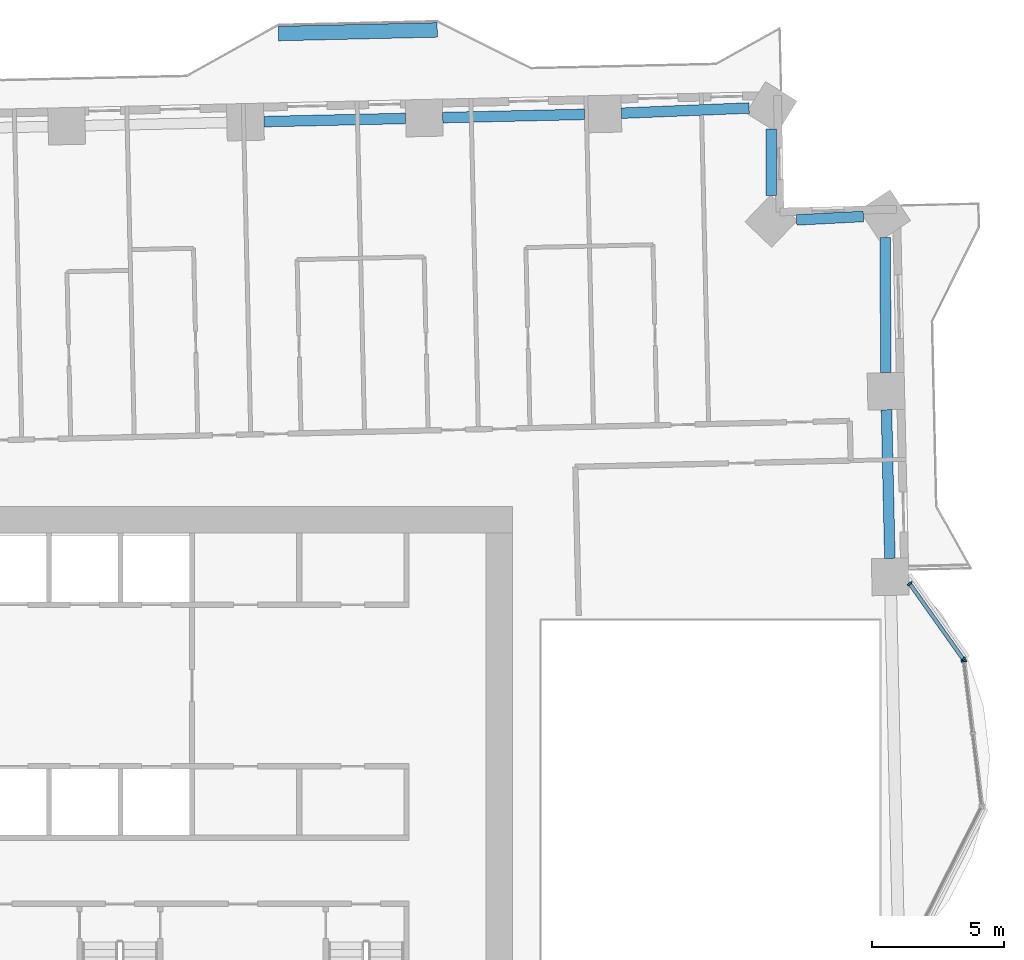
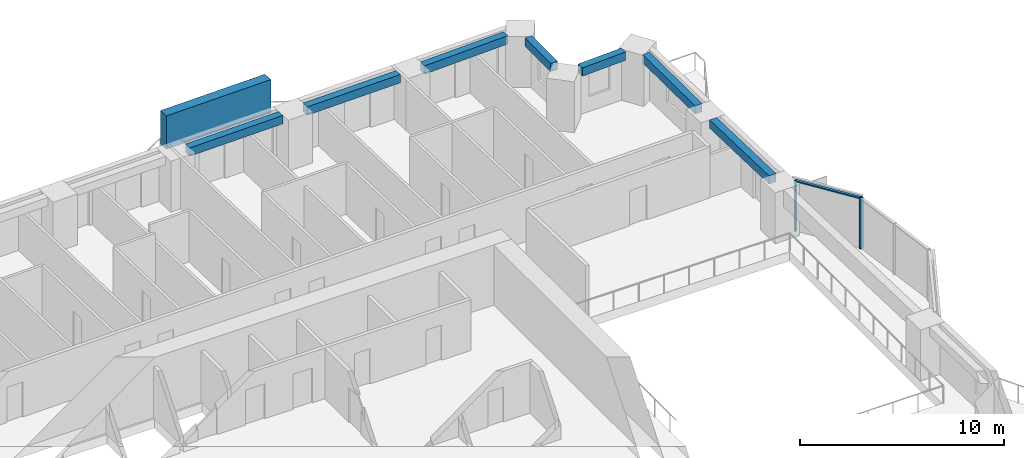
# One storey, part 4 of 17: 7 beams, 5 members, 2 elements without a shape of their own.
"""IFC4 building model written with IfcOpenShell, lengths in metres."""

from ifc_helpers import new_model, si_unit, direction, frame, origin, origin_2d, place, context, subcontext, project, spatial, rectangle, extrude, material, material_profile, profile_set, type_object, element, aggregate, save


model = new_model("IFC4")

# Units and contexts
model_context = context("Model", 3, precision=1e-05, world=origin(), true_north=direction((0.0, 1.0)))
body_context = subcontext(model_context, "Body", "Model", "MODEL_VIEW")
ifc_project = project(units=[si_unit("LENGTHUNIT", "METRE"), si_unit("AREAUNIT", "SQUARE_METRE"), si_unit("VOLUMEUNIT", "CUBIC_METRE"), si_unit("PLANEANGLEUNIT", "RADIAN"), si_unit("MASSUNIT", "GRAM", prefix="KILO")], contexts=[model_context])

# Site, building, storey
site_placement = place(None, origin())
site = spatial("IfcSite", under=ifc_project, at=site_placement, CompositionType="ELEMENT")
building_placement = place(site_placement, origin())
building = spatial("IfcBuilding", under=site, at=building_placement, Name="Mangrove Gate Tower", CompositionType="ELEMENT")
storey_placement = place(building_placement, frame((0.0, 0.0, 90.10009765625)))
storey = spatial("IfcBuildingStorey", under=building, at=storey_placement, Name="L22", CompositionType="ELEMENT", Elevation=90.10009765625)

# Curtain wall, member
ifc_material_1 = material(Name="Aluminium and glass curtain wall", Category="aluminium")
curtain_wall_type = type_object("IfcCurtainWallType", Name="Atrium garden-court glazing wall", PredefinedType="NOTDEFINED", material=ifc_material_1)
curtain_wall_1_placement = place(storey_placement, origin())
curtain_wall_1 = element("IfcCurtainWall", 1, at=curtain_wall_1_placement, inside=storey, type_object=curtain_wall_type, Name="Atrium garden-court glazing E1f2", PredefinedType="NOTDEFINED")
ifc_material_2 = material(Name="Aluminium alloy 6063-T6", Category="aluminium")
ifc_material_profile_1 = material_profile(ifc_material_2, rectangle(XDim=0.070068359375, YDim=0.199951171875, at=origin_2d()))
ifc_profile_set_1 = profile_set([ifc_material_profile_1], Name="Aluminium alloy 6063-T6")
member_type_1 = type_object("IfcMemberType", Name="Atrium garden-court glazing mullion 70x200", PredefinedType="MULLION", material=ifc_profile_set_1)
member_1_placement = place(storey_placement, frame((31.85546875, 5.97509765625, 0.0), z_axis=(0.0, 0.0, 1.0), x_axis=(-0.122172286076, 0.992508908028, 0.0)))
member_1 = element("IfcMember", 2, at=member_1_placement, type_object=member_type_1, Name="CWA mullion 3", PredefinedType="MULLION", context=body_context, shape_type="SweptSolid", body=[
    extrude(rectangle(XDim=0.070068359375, YDim=0.199951171875, at=origin_2d()), origin(), (0.0, 0.0, 1.0), 3.0498046875),
])
aggregate(curtain_wall_1, [member_1])

# Curtain wall, members
curtain_wall_2_placement = place(storey_placement, origin())
curtain_wall_2 = element("IfcCurtainWall", 3, at=curtain_wall_2_placement, inside=storey, type_object=curtain_wall_type, Name="Atrium garden-court glazing E1f3", PredefinedType="NOTDEFINED")
member_2_placement = place(storey_placement, frame((31.8310546875, 6.038330078125, 0.0), z_axis=(0.0, 0.0, 1.0), x_axis=(-0.578109291006, 0.815959341911, 0.0)))
member_2 = element("IfcMember", 4, at=member_2_placement, type_object=member_type_1, Name="CWA mullion 1", PredefinedType="MULLION", context=body_context, shape_type="SweptSolid", body=[
    extrude(rectangle(XDim=0.070068359375, YDim=0.199951171875, at=origin_2d()), origin(), (0.0, 0.0, 1.0), 3.0498046875),
])
member_3_placement = place(storey_placement, frame((29.808837890625, 8.892578125, 0.0), z_axis=(0.0, 0.0, 1.0), x_axis=(-0.578109291006, 0.815959341911, 0.0)))
member_3 = element("IfcMember", 5, at=member_3_placement, type_object=member_type_1, Name="CWA mullion 2", PredefinedType="MULLION", context=body_context, shape_type="SweptSolid", body=[
    extrude(rectangle(XDim=0.070068359375, YDim=0.199951171875, at=origin_2d()), origin(), (0.0, 0.0, 1.0), 3.0498046875),
])
ifc_material_3 = material(Name="Aluminium alloy 6063-T6", Category="aluminium")
ifc_material_profile_2 = material_profile(ifc_material_3, rectangle(XDim=0.070068359375, YDim=0.14990234375, at=origin_2d()))
ifc_profile_set_2 = profile_set([ifc_material_profile_2], Name="Aluminium alloy 6063-T6")
member_type_2 = type_object("IfcMemberType", Name="Atrium garden-court glazing transom 70x150", PredefinedType="USERDEFINED", material=ifc_profile_set_2)
member_4_placement = place(storey_placement, frame((31.810791015625, 6.06689453125, 3.014892578125), z_axis=(-0.578094404228, 0.815969889028, 0.0), x_axis=(0.0, 0.0, 1.0)))
member_4 = element("IfcMember", 6, at=member_4_placement, type_object=member_type_2, Name="CWA transom 1.2", ObjectType="TRANSOM", PredefinedType="USERDEFINED", context=body_context, shape_type="SweptSolid", body=[
    extrude(rectangle(XDim=0.070068359375, YDim=0.14990234375, at=origin_2d()), origin(), (0.0, 0.0, 1.0), 3.427978515625),
])
aggregate(curtain_wall_2, [member_2, member_3, member_4])

# Member
ifc_material_4 = material(Name="Planting on aluminium trellis", Category="aluminium")
ifc_material_profile_3 = material_profile(ifc_material_4, rectangle(XDim=0.550048828125, YDim=2.0, at=origin_2d()))
ifc_profile_set_3 = profile_set([ifc_material_profile_3], Name="Planting on aluminium trellis")
member_type_3 = type_object("IfcMemberType", Name="Balcony greenery screen 550x2000", PredefinedType="USERDEFINED", material=ifc_profile_set_3)
member_5_placement = place(storey_placement, frame((5.965087890625, 29.6708984375, 1.7998046875), z_axis=(0.999743178102, 0.022662255828, 0.0), x_axis=(-0.022662255828, 0.999743178102, 0.0)))
element("IfcMember", 7, at=member_5_placement, inside=storey, type_object=member_type_3, Name="GREEN SCREEN L22 N0.1", ObjectType="PLANTING", PredefinedType="USERDEFINED", context=body_context, shape_type="SweptSolid", body=[
    extrude(rectangle(XDim=0.550048828125, YDim=2.0, at=origin_2d()), origin(), (0.0, 0.0, 1.0), 6.00048828125),
])

# Beams
ifc_material_5 = material(Name="Concrete C50/60", Category="concrete")
ifc_material_profile_4 = material_profile(ifc_material_5, rectangle(XDim=0.39990234375, YDim=0.5, at=origin_2d()))
ifc_profile_set_4 = profile_set([ifc_material_profile_4], Name="Concrete C50/60")
beam_type = type_object("IfcBeamType", Name="Edge beam RC 400x500 C50/60", PredefinedType="BEAM", material=ifc_profile_set_4)
beam_1_placement = place(storey_placement, frame((29.057373046875, 9.849853515625, 2.7998046875), z_axis=(-0.022704608977, 0.99974221714, 0.0), x_axis=(-0.99974221714, -0.022704608977, 0.0)))
element("IfcBeam", 8, at=beam_1_placement, inside=storey, type_object=beam_type, Name="Edge beam L22 16", PredefinedType="BEAM", context=body_context, shape_type="SweptSolid", body=[
    extrude(rectangle(XDim=0.39990234375, YDim=0.5, at=origin_2d()), origin(), (0.0, 0.0, 1.0), 5.613037109375),
])
beam_2_placement = place(storey_placement, frame((28.90966796875, 16.861083984375, 2.7998046875), z_axis=(-0.006550808608, 0.999978543223, 0.0), x_axis=(-0.999978543223, -0.006550808608, 0.0)))
element("IfcBeam", 9, at=beam_2_placement, inside=storey, type_object=beam_type, Name="Edge beam L22 17", PredefinedType="BEAM", context=body_context, shape_type="SweptSolid", body=[
    extrude(rectangle(XDim=0.39990234375, YDim=0.5, at=origin_2d()), origin(), (0.0, 0.0, 1.0), 5.105712890625),
])
beam_3_placement = place(storey_placement, frame((28.0595703125, 22.76025390625, 2.7998046875), z_axis=(-0.998695122751, -0.051069088442, 0.0), x_axis=(0.051069088442, -0.998695122751, 0.0)))
element("IfcBeam", 10, at=beam_3_placement, inside=storey, type_object=beam_type, Name="Edge beam L22 18", PredefinedType="BEAM", context=body_context, shape_type="SweptSolid", body=[
    extrude(rectangle(XDim=0.39990234375, YDim=0.5, at=origin_2d()), origin(), (0.0, 0.0, 1.0), 2.529052734375),
])
beam_4_placement = place(storey_placement, frame((24.57568359375, 23.547119140625, 2.7998046875), z_axis=(0.003483288012, 0.999993933334, 0.0), x_axis=(-0.999993933334, 0.003483288012, 0.0)))
element("IfcBeam", 11, at=beam_4_placement, inside=storey, type_object=beam_type, Name="Edge beam L22 19", PredefinedType="BEAM", context=body_context, shape_type="SweptSolid", body=[
    extrude(rectangle(XDim=0.39990234375, YDim=0.5, at=origin_2d()), origin(), (0.0, 0.0, 1.0), 2.523193359375),
])
beam_5_placement = place(storey_placement, frame((23.74267578125, 26.857666015625, 2.7998046875), z_axis=(-0.999174978346, -0.040612346002, 0.0), x_axis=(0.040612346002, -0.999174978346, 0.0)))
element("IfcBeam", 12, at=beam_5_placement, inside=storey, type_object=beam_type, Name="Edge beam L22 20", PredefinedType="BEAM", context=body_context, shape_type="SweptSolid", body=[
    extrude(rectangle(XDim=0.39990234375, YDim=0.5, at=origin_2d()), origin(), (0.0, 0.0, 1.0), 4.8271484375),
])
for number, where, z_axis, x_axis, name in (
    (13, (17.52001953125, 26.617431640625, 2.7998046875), (-0.999743035052, -0.022668565556, 0.0), (0.022668565556, -0.999743035052, 0.0), "Edge beam L22 21"),
    (14, (10.76904296875, 26.46435546875, 2.7998046875), (-0.999743035052, -0.022668565556, 0.0), (0.022668565556, -0.999743035052, 0.0), "Edge beam L22 22"),
):
    element("IfcBeam", number, at=place(storey_placement, frame(where, z_axis=z_axis, x_axis=x_axis)), inside=storey, type_object=beam_type, Name=name, PredefinedType="BEAM", context=body_context, shape_type="SweptSolid", body=[
        extrude(rectangle(XDim=0.39990234375, YDim=0.5, at=origin_2d()), origin(), (0.0, 0.0, 1.0), 5.352783203125),
    ])

save(model, "model.ifc")
